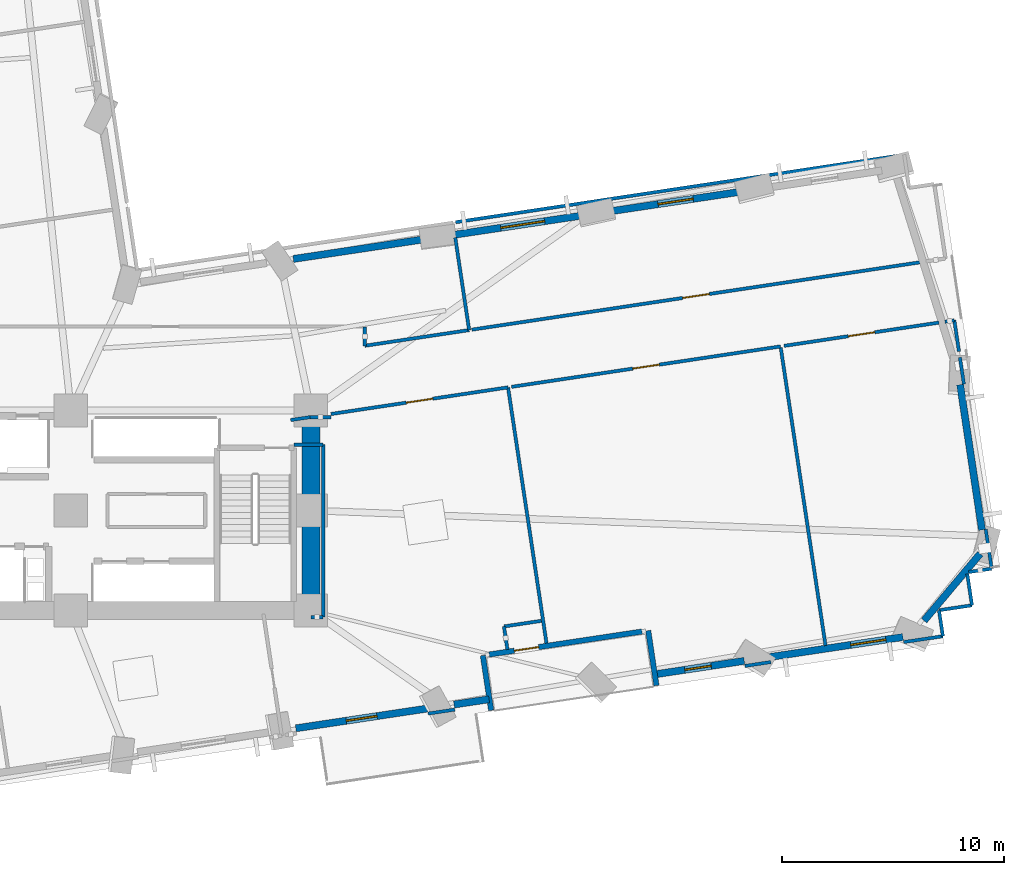
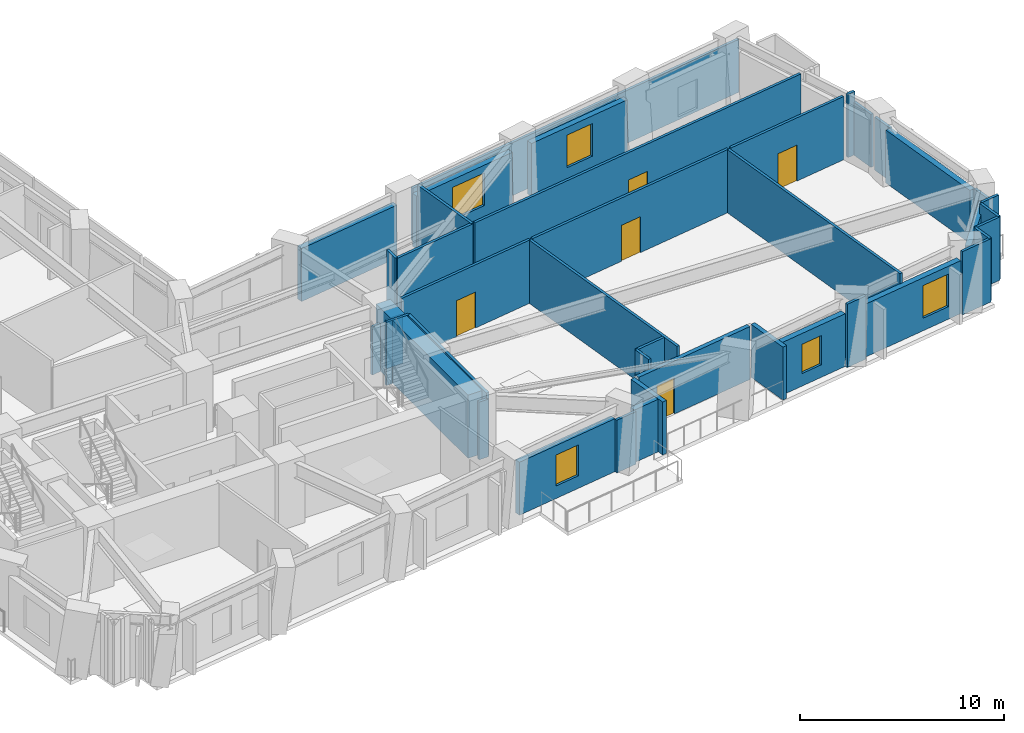
# One storey, part 9 of 15: 41 walls, 5 doors, 5 windows, 10 openings.
"""IFC4 building model written with IfcOpenShell, lengths in metres."""

from ifc_helpers import new_model, si_unit, direction, frame, frame_2d, origin, place, context, subcontext, project, spatial, rectangle, extrude, material, layer, layer_set, type_object, element, fill, save


model = new_model("IFC4")

# Units and contexts
model_context = context("Model", 3, precision=1e-05, world=origin(), true_north=direction((0.0, 1.0)))
body_context = subcontext(model_context, "Body", "Model", "MODEL_VIEW")
ifc_project = project(units=[si_unit("LENGTHUNIT", "METRE"), si_unit("AREAUNIT", "SQUARE_METRE"), si_unit("VOLUMEUNIT", "CUBIC_METRE"), si_unit("PLANEANGLEUNIT", "RADIAN"), si_unit("MASSUNIT", "GRAM", prefix="KILO")], contexts=[model_context])

# Site, building, storey
site_placement = place(None, origin())
site = spatial("IfcSite", under=ifc_project, at=site_placement, CompositionType="ELEMENT")
building_placement = place(site_placement, origin())
building = spatial("IfcBuilding", under=site, at=building_placement, Name="Gaonmaruhae Medical Tower", CompositionType="ELEMENT")
storey_placement = place(building_placement, frame((0.0, 0.0, 59.0)))
storey = spatial("IfcBuildingStorey", under=building, at=storey_placement, Name="L13", CompositionType="ELEMENT", Elevation=59.0)

# Wall
ifc_material_1 = material(Name="Concrete C60/75", Category="concrete")
ifc_layer_1 = layer(ifc_material_1, 0.800048828125)
ifc_layer_set_1 = layer_set([ifc_layer_1], Name="Concrete C60/75")
wall_type_1 = type_object("IfcWallType", Name="CW-800 Lower Core Shear Wall", PredefinedType="SHEAR", material=ifc_layer_set_1)
wall_1_placement = place(storey_placement, frame((35.60009765625, 7.800048828125, 0.0), z_axis=(0.0, 0.0, 1.0), x_axis=(0.0, 1.0, 0.0)))
element("IfcWall", 1, at=wall_1_placement, inside=storey, type_object=wall_type_1, Name="L13 Core Shear Wall CSW-E1", PredefinedType="SHEAR", context=body_context, shape_type="SweptSolid", body=[
    extrude(rectangle(XDim=9.0, YDim=0.800048828125, at=frame_2d((4.5, 0.0))), origin(), (0.0, 0.0, 1.0), 3.780029296875),
])

# Wall, opening, door
ifc_material_2 = material(Name="Precast concrete C45/55", Category="concrete")
ifc_layer_2 = layer(ifc_material_2, 0.239990234375)
ifc_layer_set_2 = layer_set([ifc_layer_2], Name="Precast concrete C45/55")
wall_type_2 = type_object("IfcWallType", Name="EW-240 Ribbon & Shelter Insulated Precast Wall", PredefinedType="SOLIDWALL", material=ifc_layer_set_2)
wall_2_placement = place(storey_placement, frame((50.5, 6.85302734375, 0.0), z_axis=(0.0, 0.0, 1.0), x_axis=(-0.988888186317, -0.14866120867, 0.0)))
wall_2 = element("IfcWall", 2, at=wall_2_placement, inside=storey, type_object=wall_type_2, Name="L13 Recessed Terrace Enclosure Wall TERB", PredefinedType="SOLIDWALL", context=body_context, shape_type="SweptSolid", body=[
    extrude(rectangle(XDim=6.9599609375, YDim=0.239990234375, at=frame_2d((3.47998046875, 0.0))), origin(), (0.0, 0.0, 1.0), 3.1650390625),
])
opening_1_placement = place(wall_2_placement, frame((4.709228515625, 0.0, 0.0)))
opening_1 = element("IfcOpeningElement", 3, at=opening_1_placement, cuts=wall_2, Name="Opening TD-01", PredefinedType="OPENING", context=body_context, shape_type="SweptSolid", body=[
    extrude(rectangle(XDim=1.10009765625, YDim=2.14990234375, at=frame_2d((0.550048828125, 1.074951171875))), frame((0.0, 0.1298828125, 0.0), z_axis=(0.0, -1.0, 0.0), x_axis=(1.0, 0.0, 0.0)), (0.0, 0.0, 1.0), 0.260009765625),
])
ifc_material_3 = material(Name="Anodised aluminium and toughened safety glass", Category="aluminium")
door_type_1 = type_object("IfcDoorType", Name="TD-01 Terrace & Sky Garden Glazed Door 1100x2150", OperationType="NOTDEFINED", PredefinedType="DOOR", material=ifc_material_3)
door_1_placement = place(opening_1_placement, origin())
door_1 = element("IfcDoor", 4, at=door_1_placement, inside=storey, type_object=door_type_1, Name="L13 Outdoor Terrace Access Door SLB-L13-TER", OperationType="SINGLE_SWING_LEFT", OverallHeight=2.14990234375, OverallWidth=1.10009765625, PredefinedType="DOOR", context=body_context, shape_type="SweptSolid", body=[
    extrude(rectangle(XDim=1.10009765625, YDim=2.14990234375, at=frame_2d((0.550048828125, 1.074951171875))), frame((0.0, 0.02490234375, 0.0), z_axis=(0.0, -1.0, 0.0), x_axis=(1.0, 0.0, 0.0)), (0.0, 0.0, 1.0), 0.050048828125),
])
fill(opening_1, door_1)

# Walls
for number, where, z_axis, x_axis, name in (
    (5, (43.340576171875, 5.776611328125, 0.0), (0.0, 0.0, 1.0), (0.148636526418, -0.988891896526, 0.0), "L13 Recessed Terrace Enclosure Wall TERL"),
    (6, (51.148681640625, 4.422607421875, 0.0), (0.0, 0.0, 1.0), (-0.148732025473, 0.988877537716, 0.0), "L13 Recessed Terrace Enclosure Wall TERR"),
):
    element("IfcWall", number, at=place(storey_placement, frame(where, z_axis=z_axis, x_axis=x_axis)), inside=storey, type_object=wall_type_2, Name=name, PredefinedType="SOLIDWALL", context=body_context, shape_type="SweptSolid", body=[
        extrude(rectangle(XDim=2.5, YDim=0.239990234375, at=frame_2d((1.25, 0.0))), origin(), (0.0, 0.0, 1.0), 3.1650390625),
    ])

# Wall, opening, window
ifc_layer_3 = layer(ifc_material_2, 0.320068359375)
ifc_layer_set_3 = layer_set([ifc_layer_3], Name="Precast concrete C45/55")
wall_type_3 = type_object("IfcWallType", Name="EW-320 Lower Precast Masonry-Frame Facade Wall", PredefinedType="SOLIDWALL", material=ifc_layer_set_3)
wall_3_placement = place(storey_placement, frame((40.84130859375, 3.388671875, 0.0), z_axis=(0.0, 0.0, 1.0), x_axis=(-0.988886033007, -0.148675531691, 0.0)))
wall_3 = element("IfcWall", 7, at=wall_3_placement, inside=storey, type_object=wall_type_3, Name="L13 Precast Masonry-Frame Wall S04-S05", PredefinedType="SOLIDWALL", context=body_context, shape_type="SweptSolid", body=[
    extrude(rectangle(XDim=5.9853515625, YDim=0.320068359375, at=frame_2d((2.99267578125, 0.0))), origin(), (0.0, 0.0, 1.0), 3.1650390625),
])
opening_2_placement = place(wall_3_placement, frame((2.292724609375, 0.0, 0.75)))
opening_2 = element("IfcOpeningElement", 8, at=opening_2_placement, cuts=wall_3, Name="Opening WN-03", PredefinedType="OPENING", context=body_context, shape_type="SweptSolid", body=[
    extrude(rectangle(XDim=1.39990234375, YDim=1.85009765625, at=frame_2d((0.699951171875, 0.925048828125))), frame((0.0, 0.169921875, 0.0), z_axis=(0.0, -1.0, 0.0), x_axis=(1.0, 0.0, 0.0)), (0.0, 0.0, 1.0), 0.340087890625),
])
ifc_material_4 = material(Name="Anodised aluminium and Low-E double glazing", Category="aluminium")
window_type_1 = type_object("IfcWindowType", Name="WN-03 Isolation Ward Punched Window 1400x1850", PartitioningType="SINGLE_PANEL", PredefinedType="WINDOW", material=ifc_material_4)
window_1_placement = place(opening_2_placement, origin())
window_1 = element("IfcWindow", 9, at=window_1_placement, inside=storey, type_object=window_type_1, Name="L13 Modular Facade Window S04", OverallHeight=1.85009765625, OverallWidth=1.39990234375, PartitioningType="SINGLE_PANEL", PredefinedType="WINDOW", context=body_context, shape_type="SweptSolid", body=[
    extrude(rectangle(XDim=1.39990234375, YDim=1.85009765625, at=frame_2d((0.699951171875, 0.925048828125))), frame((0.0, 0.030029296875, 0.0), z_axis=(0.0, -1.0, 0.0), x_axis=(1.0, 0.0, 0.0)), (0.0, 0.0, 1.0), 0.06005859375),
])
fill(opening_2, window_1)

# Wall
wall_4_placement = place(storey_placement, frame((43.61669921875, 3.805908203125, 0.0), z_axis=(0.0, 0.0, 1.0), x_axis=(-0.98889360458, -0.148625162139, 0.0)))
element("IfcWall", 10, at=wall_4_placement, inside=storey, type_object=wall_type_3, Name="L13 Precast Masonry-Frame Wall S05-S06", PredefinedType="SOLIDWALL", context=body_context, shape_type="SweptSolid", body=[
    extrude(rectangle(XDim=1.59326171875, YDim=0.320068359375, at=frame_2d((0.796630859375, 0.0))), origin(), (0.0, 0.0, 1.0), 3.14501953125),
])

# Wall, opening, window
wall_5_placement = place(storey_placement, frame((55.099609375, 5.5322265625, 0.0), z_axis=(0.0, 0.0, 1.0), x_axis=(-0.988882814922, -0.148696934578, 0.0)))
wall_5 = element("IfcWall", 11, at=wall_5_placement, inside=storey, type_object=wall_type_3, Name="L13 Precast Masonry-Frame Wall S06-S07", PredefinedType="SOLIDWALL", context=body_context, shape_type="SweptSolid", body=[
    extrude(rectangle(XDim=4.05224609375, YDim=0.320068359375, at=frame_2d((2.026123046875, 0.0))), origin(), (0.0, 0.0, 1.0), 3.14501953125),
])
opening_3_placement = place(wall_5_placement, frame((1.505615234375, 0.0, 0.75)))
opening_3 = element("IfcOpeningElement", 12, at=opening_3_placement, cuts=wall_5, Name="Opening WN-05", PredefinedType="OPENING", context=body_context, shape_type="SweptSolid", body=[
    extrude(rectangle(XDim=1.199951171875, YDim=1.75, at=frame_2d((0.60009765625, 0.875))), frame((0.0, 0.169921875, 0.0), z_axis=(0.0, -1.0, 0.0), x_axis=(1.0, 0.0, 0.0)), (0.0, 0.0, 1.0), 0.340087890625),
])
window_type_2 = type_object("IfcWindowType", Name="WN-05 Support & Staff Punched Window 1200x1750", PartitioningType="SINGLE_PANEL", PredefinedType="WINDOW", material=ifc_material_4)
window_2_placement = place(opening_3_placement, origin())
window_2 = element("IfcWindow", 13, at=window_2_placement, inside=storey, type_object=window_type_2, Name="L13 Modular Facade Window S06", OverallHeight=1.75, OverallWidth=1.199951171875, PartitioningType="SINGLE_PANEL", PredefinedType="WINDOW", context=body_context, shape_type="SweptSolid", body=[
    extrude(rectangle(XDim=1.199951171875, YDim=1.75, at=frame_2d((0.60009765625, 0.875))), frame((0.0, 0.030029296875, 0.0), z_axis=(0.0, -1.0, 0.0), x_axis=(1.0, 0.0, 0.0)), (0.0, 0.0, 1.0), 0.06005859375),
])
fill(opening_3, window_2)

wall_6_placement = place(storey_placement, frame((62.23828125, 6.60546875, 0.0), z_axis=(0.0, 0.0, 1.0), x_axis=(-0.988886526785, -0.14867224739, 0.0)))
wall_6 = element("IfcWall", 14, at=wall_6_placement, inside=storey, type_object=wall_type_3, Name="L13 Precast Masonry-Frame Wall S07-S08", PredefinedType="SOLIDWALL", context=body_context, shape_type="SweptSolid", body=[
    extrude(rectangle(XDim=6.044677734375, YDim=0.320068359375, at=frame_2d((3.0224609375, 0.0))), origin(), (0.0, 0.0, 1.0), 3.1650390625),
])
opening_4_placement = place(wall_6_placement, frame((0.77392578125, 0.0, 0.75)))
opening_4 = element("IfcOpeningElement", 15, at=opening_4_placement, cuts=wall_6, Name="Opening WN-01", PredefinedType="OPENING", context=body_context, shape_type="SweptSolid", body=[
    extrude(rectangle(XDim=1.60009765625, YDim=1.949951171875, at=frame_2d((0.800048828125, 0.97509765625))), frame((0.0, 0.169921875, 0.0), z_axis=(0.0, -1.0, 0.0), x_axis=(1.0, 0.0, 0.0)), (0.0, 0.0, 1.0), 0.340087890625),
])
window_type_3 = type_object("IfcWindowType", Name="WN-01 Ward Punched Acoustic Window 1600x1950", PartitioningType="SINGLE_PANEL", PredefinedType="WINDOW", material=ifc_material_4)
window_3_placement = place(opening_4_placement, origin())
window_3 = element("IfcWindow", 16, at=window_3_placement, inside=storey, type_object=window_type_3, Name="L13 Modular Facade Window S07", OverallHeight=1.949951171875, OverallWidth=1.60009765625, PartitioningType="SINGLE_PANEL", PredefinedType="WINDOW", context=body_context, shape_type="SweptSolid", body=[
    extrude(rectangle(XDim=1.60009765625, YDim=1.949951171875, at=frame_2d((0.800048828125, 0.97509765625))), frame((0.0, 0.030029296875, 0.0), z_axis=(0.0, -1.0, 0.0), x_axis=(1.0, 0.0, 0.0)), (0.0, 0.0, 1.0), 0.06005859375),
])
fill(opening_4, window_3)

# Walls
wall_7_placement = place(storey_placement, frame((65.7138671875, 10.350830078125, 0.0), z_axis=(0.0, 0.0, 1.0), x_axis=(-0.642815888699, -0.76602071332, 0.0)))
element("IfcWall", 17, at=wall_7_placement, inside=storey, type_object=wall_type_3, Name="L13 Precast Masonry-Frame Wall S08-E01", PredefinedType="SOLIDWALL", context=body_context, shape_type="SweptSolid", body=[
    extrude(rectangle(XDim=3.927490234375, YDim=0.320068359375, at=frame_2d((1.9638671875, 0.0))), origin(), (0.0, 0.0, 1.0), 3.1650390625),
])
wall_8_placement = place(storey_placement, frame((64.813720703125, 17.961669921875, 0.0), z_axis=(0.0, 0.0, 1.0), x_axis=(0.148656500421, -0.988888894104, 0.0)))
element("IfcWall", 18, at=wall_8_placement, inside=storey, type_object=wall_type_3, Name="L13 Precast Masonry-Frame Wall E01-E02", PredefinedType="SOLIDWALL", context=body_context, shape_type="SweptSolid", body=[
    extrude(rectangle(XDim=6.6103515625, YDim=0.320068359375, at=frame_2d((3.30517578125, 0.0))), origin(), (0.0, 0.0, 1.0), 3.1650390625),
])

# Wall, opening, window
wall_9_placement = place(storey_placement, frame((49.034912109375, 25.75537109375, 0.0), z_axis=(0.0, 0.0, 1.0), x_axis=(0.988890529399, 0.148645621746, 0.0)))
wall_9 = element("IfcWall", 19, at=wall_9_placement, inside=storey, type_object=wall_type_3, Name="L13 Precast Masonry-Frame Wall EN01-EN02", PredefinedType="SOLIDWALL", context=body_context, shape_type="SweptSolid", body=[
    extrude(rectangle(XDim=6.0244140625, YDim=0.320068359375, at=frame_2d((3.01220703125, 0.0))), origin(), (0.0, 0.0, 1.0), 3.1650390625),
])
opening_5_placement = place(wall_9_placement, frame((2.208740234375, 0.0, 0.75)))
opening_5 = element("IfcOpeningElement", 20, at=opening_5_placement, cuts=wall_9, Name="Opening WN-01", PredefinedType="OPENING", context=body_context, shape_type="SweptSolid", body=[
    extrude(rectangle(XDim=1.60009765625, YDim=1.949951171875, at=frame_2d((0.800048828125, 0.97509765625))), frame((0.0, 0.169921875, 0.0), z_axis=(0.0, -1.0, 0.0), x_axis=(1.0, 0.0, 0.0)), (0.0, 0.0, 1.0), 0.340087890625),
])
window_4_placement = place(opening_5_placement, origin())
window_4 = element("IfcWindow", 21, at=window_4_placement, inside=storey, type_object=window_type_3, Name="L13 Modular Facade Window EN01", OverallHeight=1.949951171875, OverallWidth=1.60009765625, PartitioningType="SINGLE_PANEL", PredefinedType="WINDOW", context=body_context, shape_type="SweptSolid", body=[
    extrude(rectangle(XDim=1.60009765625, YDim=1.949951171875, at=frame_2d((0.800048828125, 0.97509765625))), frame((0.0, 0.030029296875, 0.0), z_axis=(0.0, -1.0, 0.0), x_axis=(1.0, 0.0, 0.0)), (0.0, 0.0, 1.0), 0.06005859375),
])
fill(opening_5, window_4)

wall_10_placement = place(storey_placement, frame((41.9248046875, 24.686279296875, 0.0), z_axis=(0.0, 0.0, 1.0), x_axis=(0.988883458741, 0.148692652905, 0.0)))
wall_10 = element("IfcWall", 22, at=wall_10_placement, inside=storey, type_object=wall_type_3, Name="L13 Precast Masonry-Frame Wall EN02-EN03", PredefinedType="SOLIDWALL", context=body_context, shape_type="SweptSolid", body=[
    extrude(rectangle(XDim=5.99951171875, YDim=0.320068359375, at=frame_2d((2.999755859375, 0.0))), origin(), (0.0, 0.0, 1.0), 3.1650390625),
])
opening_6_placement = place(wall_10_placement, frame((2.23828125, 0.0, 0.75)))
opening_6 = element("IfcOpeningElement", 23, at=opening_6_placement, cuts=wall_10, Name="Opening WN-02", PredefinedType="OPENING", context=body_context, shape_type="SweptSolid", body=[
    extrude(rectangle(XDim=2.0, YDim=1.949951171875, at=frame_2d((1.0, 0.97509765625))), frame((0.0, 0.169921875, 0.0), z_axis=(0.0, -1.0, 0.0), x_axis=(1.0, 0.0, 0.0)), (0.0, 0.0, 1.0), 0.340087890625),
])
window_type_4 = type_object("IfcWindowType", Name="WN-02 Double-Bed Ward Punched Window 2000x1950", PartitioningType="SINGLE_PANEL", PredefinedType="WINDOW", material=ifc_material_4)
window_5_placement = place(opening_6_placement, origin())
window_5 = element("IfcWindow", 24, at=window_5_placement, inside=storey, type_object=window_type_4, Name="L13 Modular Facade Window EN02", OverallHeight=1.949951171875, OverallWidth=2.0, PartitioningType="SINGLE_PANEL", PredefinedType="WINDOW", context=body_context, shape_type="SweptSolid", body=[
    extrude(rectangle(XDim=2.0, YDim=1.949951171875, at=frame_2d((1.0, 0.97509765625))), frame((0.0, 0.030029296875, 0.0), z_axis=(0.0, -1.0, 0.0), x_axis=(1.0, 0.0, 0.0)), (0.0, 0.0, 1.0), 0.06005859375),
])
fill(opening_6, window_5)

# Walls
wall_11_placement = place(storey_placement, frame((34.808349609375, 23.616455078125, 0.0), z_axis=(0.0, 0.0, 1.0), x_axis=(0.988886347304, 0.148673441189, 0.0)))
element("IfcWall", 25, at=wall_11_placement, inside=storey, type_object=wall_type_3, Name="L13 Precast Masonry-Frame Wall EN03-EN04", PredefinedType="SOLIDWALL", context=body_context, shape_type="SweptSolid", body=[
    extrude(rectangle(XDim=5.9873046875, YDim=0.320068359375, at=frame_2d((2.99365234375, 0.0))), origin(), (0.0, 0.0, 1.0), 3.1650390625),
])
ifc_material_5 = material(Name="Gypsum board partition", Category="gypsum")
ifc_layer_4 = layer(ifc_material_5, 0.14990234375)
ifc_layer_set_4 = layer_set([ifc_layer_4], Name="Gypsum board partition")
wall_type_4 = type_object("IfcWallType", Name="PW-150 Rated Clinical Corridor Partition", PredefinedType="PARTITIONING", material=ifc_layer_set_4)
wall_12_placement = place(storey_placement, frame((35.60009765625, 7.5, 0.0), z_axis=(0.0, 0.0, 1.0), x_axis=(1.0, 0.0, 0.0)))
element("IfcWall", 26, at=wall_12_placement, inside=storey, type_object=wall_type_4, Name="L13 Interior Partition L13-SUP03-19", PredefinedType="PARTITIONING", context=body_context, shape_type="SweptSolid", body=[
    extrude(rectangle(XDim=0.5498046875, YDim=0.14990234375, at=frame_2d((0.27490234375, 0.0))), origin(), (0.0, 0.0, 1.0), 3.445068359375),
])
wall_13_placement = place(storey_placement, frame((36.14990234375, 7.5, 0.0), z_axis=(0.0, 0.0, 1.0), x_axis=(0.0, 1.0, 0.0)))
element("IfcWall", 27, at=wall_13_placement, inside=storey, type_object=wall_type_4, Name="L13 Interior Partition L13-SUP03-20", PredefinedType="PARTITIONING", context=body_context, shape_type="SweptSolid", body=[
    extrude(rectangle(XDim=7.760009765625, YDim=0.14990234375, at=frame_2d((3.8798828125, 0.0))), origin(), (0.0, 0.0, 1.0), 3.780029296875),
])
wall_14_placement = place(storey_placement, frame((36.14990234375, 15.260009765625, 0.0), z_axis=(0.0, 0.0, 1.0), x_axis=(-1.0, 0.0, 0.0)))
element("IfcWall", 28, at=wall_14_placement, inside=storey, type_object=wall_type_4, Name="L13 Interior Partition L13-SUP03-21", PredefinedType="PARTITIONING", context=body_context, shape_type="SweptSolid", body=[
    extrude(rectangle(XDim=1.2998046875, YDim=0.14990234375, at=frame_2d((0.64990234375, 0.0))), origin(), (0.0, 0.0, 1.0), 3.780029296875),
])
wall_15_placement = place(storey_placement, frame((34.69091796875, 16.367919921875, 0.0), z_axis=(0.0, 0.0, 1.0), x_axis=(0.988798318439, 0.149257781885, 0.0)))
element("IfcWall", 29, at=wall_15_placement, inside=storey, type_object=wall_type_4, Name="L13 Interior Partition L13-SUP03-22", PredefinedType="PARTITIONING", context=body_context, shape_type="SweptSolid", body=[
    extrude(rectangle(XDim=0.885009765625, YDim=0.14990234375, at=frame_2d((0.4423828125, 0.0))), origin(), (0.0, 0.0, 1.0), 2.864990234375),
])
wall_16_placement = place(storey_placement, frame((35.56591796875, 16.5, 0.0), z_axis=(0.0, 0.0, 1.0), x_axis=(1.0, 0.0, 0.0)))
element("IfcWall", 30, at=wall_16_placement, inside=storey, type_object=wall_type_4, Name="L13 Interior Partition L13-SUP03-23", PredefinedType="PARTITIONING", context=body_context, shape_type="SweptSolid", body=[
    extrude(rectangle(XDim=0.93408203125, YDim=0.14990234375, at=frame_2d((0.467041015625, 0.0))), origin(), (0.0, 0.0, 1.0), 2.864990234375),
])

# Wall, opening, door
wall_17_placement = place(storey_placement, frame((36.5, 16.639892578125, 0.0), z_axis=(0.0, 0.0, 1.0), x_axis=(0.988871164491, 0.148774393089, 0.0)))
wall_17 = element("IfcWall", 31, at=wall_17_placement, inside=storey, type_object=wall_type_4, Name="L13 Interior Partition L13-SUP03-24", PredefinedType="PARTITIONING", context=body_context, shape_type="SweptSolid", body=[
    extrude(rectangle(XDim=8.060546875, YDim=0.14990234375, at=frame_2d((4.0302734375, 0.0))), origin(), (0.0, 0.0, 1.0), 3.780029296875),
])
opening_7_placement = place(wall_17_placement, frame((3.430419921875, 0.0, 0.0)))
opening_7 = element("IfcOpeningElement", 32, at=opening_7_placement, cuts=wall_17, Name="Opening CD-02", PredefinedType="OPENING", context=body_context, shape_type="SweptSolid", body=[
    extrude(rectangle(XDim=1.199951171875, YDim=2.14990234375, at=frame_2d((0.60009765625, 1.074951171875))), frame((0.0, 0.0849609375, 0.0), z_axis=(0.0, -1.0, 0.0), x_axis=(1.0, 0.0, 0.0)), (0.0, 0.0, 1.0), 0.169921875),
])
ifc_material_6 = material(Name="Antimicrobial laminate timber fire door", Category="wood")
door_type_2 = type_object("IfcDoorType", Name="CD-02 Clinical Treatment & Procedure Door 1200x2150", OperationType="NOTDEFINED", PredefinedType="DOOR", material=ifc_material_6)
door_2_placement = place(opening_7_placement, origin())
door_2 = element("IfcDoor", 33, at=door_2_placement, inside=storey, type_object=door_type_2, Name="L13 Clinical Biomedical Charting Office Door", OperationType="SINGLE_SWING_RIGHT", OverallHeight=2.14990234375, OverallWidth=1.199951171875, PredefinedType="DOOR", context=body_context, shape_type="SweptSolid", body=[
    extrude(rectangle(XDim=1.199951171875, YDim=2.14990234375, at=frame_2d((0.60009765625, 1.074951171875))), frame((0.0, 0.02490234375, 0.0), z_axis=(0.0, -1.0, 0.0), x_axis=(1.0, 0.0, 0.0)), (0.0, 0.0, 1.0), 0.050048828125),
])
fill(opening_7, door_2)

# Walls
wall_18_placement = place(storey_placement, frame((44.470947265625, 17.839111328125, 0.0), z_axis=(0.0, 0.0, 1.0), x_axis=(0.148651551243, -0.988889638086, 0.0)))
element("IfcWall", 34, at=wall_18_placement, inside=storey, type_object=wall_type_4, Name="L13 Interior Partition L13-SUP03-25", PredefinedType="PARTITIONING", context=body_context, shape_type="SweptSolid", body=[
    extrude(rectangle(XDim=11.665771484375, YDim=0.14990234375, at=frame_2d((5.8330078125, 0.0))), origin(), (0.0, 0.0, 1.0), 3.780029296875),
])
wall_19_placement = place(storey_placement, frame((45.968994140625, 7.3349609375, 0.0), z_axis=(0.0, 0.0, 1.0), x_axis=(-0.988867770365, -0.148796951358, 0.0)))
element("IfcWall", 35, at=wall_19_placement, inside=storey, type_object=wall_type_4, Name="L13 Interior Partition L13-SUP03-26", PredefinedType="PARTITIONING", context=body_context, shape_type="SweptSolid", body=[
    extrude(rectangle(XDim=1.699951171875, YDim=0.14990234375, at=frame_2d((0.85009765625, 0.0))), origin(), (0.0, 0.0, 1.0), 3.780029296875),
])
wall_20_placement = place(storey_placement, frame((44.2880859375, 7.08203125, 0.0), z_axis=(0.0, 0.0, 1.0), x_axis=(0.148838473401, -0.988861521567, 0.0)))
element("IfcWall", 36, at=wall_20_placement, inside=storey, type_object=wall_type_4, Name="L13 Interior Partition L13-SUP03-27", PredefinedType="PARTITIONING", context=body_context, shape_type="SweptSolid", body=[
    extrude(rectangle(XDim=1.0546875, YDim=0.14990234375, at=frame_2d((0.52734375, 0.0))), origin(), (0.0, 0.0, 1.0), 3.780029296875),
])
wall_21_placement = place(storey_placement, frame((42.074951171875, 3.341064453125, 0.0), z_axis=(0.0, 0.0, 1.0), x_axis=(-0.988914204574, -0.148488033159, 0.0)))
element("IfcWall", 37, at=wall_21_placement, inside=storey, type_object=wall_type_4, Name="L13 Interior Partition L13-SUP03-28", PredefinedType="PARTITIONING", context=body_context, shape_type="SweptSolid", body=[
    extrude(rectangle(XDim=1.21337890625, YDim=0.14990234375, at=frame_2d((0.606689453125, 0.0))), origin(), (0.0, 0.0, 1.0), 3.14501953125),
])

# Wall, opening, door
wall_22_placement = place(storey_placement, frame((44.62890625, 17.863037109375, 0.0), z_axis=(0.0, 0.0, 1.0), x_axis=(0.988897401615, 0.148599895962, 0.0)))
wall_22 = element("IfcWall", 38, at=wall_22_placement, inside=storey, type_object=wall_type_4, Name="L13 Interior Partition L13-SUP04-30", PredefinedType="PARTITIONING", context=body_context, shape_type="SweptSolid", body=[
    extrude(rectangle(XDim=12.239990234375, YDim=0.14990234375, at=frame_2d((6.1201171875, 0.0))), origin(), (0.0, 0.0, 1.0), 3.780029296875),
])
opening_8_placement = place(wall_22_placement, frame((5.52001953125, 0.0, 0.0)))
opening_8 = element("IfcOpeningElement", 39, at=opening_8_placement, cuts=wall_22, Name="Opening CD-02", PredefinedType="OPENING", context=body_context, shape_type="SweptSolid", body=[
    extrude(rectangle(XDim=1.199951171875, YDim=2.14990234375, at=frame_2d((0.60009765625, 1.074951171875))), frame((0.0, 0.0849609375, 0.0), z_axis=(0.0, -1.0, 0.0), x_axis=(1.0, 0.0, 0.0)), (0.0, 0.0, 1.0), 0.169921875),
])
door_3_placement = place(opening_8_placement, origin())
door_3 = element("IfcDoor", 40, at=door_3_placement, inside=storey, type_object=door_type_2, Name="L13 Clinical Biomedical Charting Office Door", OperationType="SINGLE_SWING_LEFT", OverallHeight=2.14990234375, OverallWidth=1.199951171875, PredefinedType="DOOR", context=body_context, shape_type="SweptSolid", body=[
    extrude(rectangle(XDim=1.199951171875, YDim=2.14990234375, at=frame_2d((0.60009765625, 1.074951171875))), frame((0.0, 0.02490234375, 0.0), z_axis=(0.0, -1.0, 0.0), x_axis=(1.0, 0.0, 0.0)), (0.0, 0.0, 1.0), 0.050048828125),
])
fill(opening_8, door_3)

# Walls
wall_23_placement = place(storey_placement, frame((56.739990234375, 19.633056640625, 0.0), z_axis=(0.0, 0.0, 1.0), x_axis=(0.148699523168, -0.988882425675, 0.0)))
element("IfcWall", 41, at=wall_23_placement, inside=storey, type_object=wall_type_4, Name="L13 Interior Partition L13-SUP04-31", PredefinedType="PARTITIONING", context=body_context, shape_type="SweptSolid", body=[
    extrude(rectangle(XDim=13.56494140625, YDim=0.14990234375, at=frame_2d((6.782470703125, 0.0))), origin(), (0.0, 0.0, 1.0), 3.780029296875),
])
wall_24_placement = place(storey_placement, frame((56.294921875, 5.47998046875, 0.0), z_axis=(0.0, 0.0, 1.0), x_axis=(-0.988821658616, -0.149103076599, 0.0)))
element("IfcWall", 42, at=wall_24_placement, inside=storey, type_object=wall_type_4, Name="L13 Interior Partition L13-SUP04-32", PredefinedType="PARTITIONING", context=body_context, shape_type="SweptSolid", body=[
    extrude(rectangle(XDim=1.174072265625, YDim=0.14990234375, at=frame_2d((0.5869140625, 0.0))), origin(), (0.0, 0.0, 1.0), 3.780029296875),
])
wall_25_placement = place(storey_placement, frame((65.345947265625, 8.032958984375, 0.0), z_axis=(0.0, 0.0, 1.0), x_axis=(-0.98890530241, -0.148547308506, 0.0)))
element("IfcWall", 43, at=wall_25_placement, inside=storey, type_object=wall_type_4, Name="L13 Interior Partition L13-SUP05-33", PredefinedType="PARTITIONING", context=body_context, shape_type="SweptSolid", body=[
    extrude(rectangle(XDim=1.50048828125, YDim=0.14990234375, at=frame_2d((0.750244140625, 0.0))), origin(), (0.0, 0.0, 1.0), 3.780029296875),
])
wall_26_placement = place(storey_placement, frame((63.862060546875, 7.81005859375, 0.0), z_axis=(0.0, 0.0, 1.0), x_axis=(0.149149655044, -0.988814633994, 0.0)))
element("IfcWall", 44, at=wall_26_placement, inside=storey, type_object=wall_type_4, Name="L13 Interior Partition L13-SUP05-34", PredefinedType="PARTITIONING", context=body_context, shape_type="SweptSolid", body=[
    extrude(rectangle(XDim=1.18017578125, YDim=0.14990234375, at=frame_2d((0.590087890625, 0.0))), origin(), (0.0, 0.0, 1.0), 3.780029296875),
])
wall_27_placement = place(storey_placement, frame((64.0380859375, 6.64306640625, 0.0), z_axis=(0.0, 0.0, 1.0), x_axis=(-0.988918296581, -0.148460778281, 0.0)))
element("IfcWall", 45, at=wall_27_placement, inside=storey, type_object=wall_type_4, Name="L13 Interior Partition L13-SUP05-35", PredefinedType="PARTITIONING", context=body_context, shape_type="SweptSolid", body=[
    extrude(rectangle(XDim=1.785888671875, YDim=0.14990234375, at=frame_2d((0.89306640625, 0.0))), origin(), (0.0, 0.0, 1.0), 3.780029296875),
])

# Wall, opening, door
wall_28_placement = place(storey_placement, frame((56.89111328125, 19.7060546875, 0.0), z_axis=(0.0, 0.0, 1.0), x_axis=(0.988874237146, 0.14875396838, 0.0)))
wall_28 = element("IfcWall", 46, at=wall_28_placement, inside=storey, type_object=wall_type_4, Name="L13 Interior Partition L13-SUP05-36", PredefinedType="PARTITIONING", context=body_context, shape_type="SweptSolid", body=[
    extrude(rectangle(XDim=7.044189453125, YDim=0.14990234375, at=frame_2d((3.52197265625, 0.0))), origin(), (0.0, 0.0, 1.0), 3.780029296875),
])
opening_9_placement = place(wall_28_placement, frame((2.922119140625, 0.0, 0.0)))
opening_9 = element("IfcOpeningElement", 47, at=opening_9_placement, cuts=wall_28, Name="Opening CD-02", PredefinedType="OPENING", context=body_context, shape_type="SweptSolid", body=[
    extrude(rectangle(XDim=1.199951171875, YDim=2.14990234375, at=frame_2d((0.60009765625, 1.074951171875))), frame((0.0, 0.0849609375, 0.0), z_axis=(0.0, -1.0, 0.0), x_axis=(1.0, 0.0, 0.0)), (0.0, 0.0, 1.0), 0.169921875),
])
door_4_placement = place(opening_9_placement, origin())
door_4 = element("IfcDoor", 48, at=door_4_placement, inside=storey, type_object=door_type_2, Name="L13 Clinical Biomedical Charting Office Door", OperationType="SINGLE_SWING_LEFT", OverallHeight=2.14990234375, OverallWidth=1.199951171875, PredefinedType="DOOR", context=body_context, shape_type="SweptSolid", body=[
    extrude(rectangle(XDim=1.199951171875, YDim=2.14990234375, at=frame_2d((0.60009765625, 1.074951171875))), frame((0.0, 0.02490234375, 0.0), z_axis=(0.0, -1.0, 0.0), x_axis=(1.0, 0.0, 0.0)), (0.0, 0.0, 1.0), 0.050048828125),
])
fill(opening_9, door_4)

# Walls
wall_29_placement = place(storey_placement, frame((64.126953125, 20.7939453125, 0.0), z_axis=(0.0, 0.0, 1.0), x_axis=(0.988764107643, 0.149484244779, 0.0)))
element("IfcWall", 49, at=wall_29_placement, inside=storey, type_object=wall_type_4, Name="L13 Interior Partition L13-SUP05-37", PredefinedType="PARTITIONING", context=body_context, shape_type="SweptSolid", body=[
    extrude(rectangle(XDim=0.427978515625, YDim=0.14990234375, at=frame_2d((0.2138671875, 0.0))), origin(), (0.0, 0.0, 1.0), 3.780029296875),
])
wall_30_placement = place(storey_placement, frame((64.550048828125, 20.85791015625, 0.0), z_axis=(0.0, 0.0, 1.0), x_axis=(0.148734259416, -0.988877201717, 0.0)))
element("IfcWall", 50, at=wall_30_placement, inside=storey, type_object=wall_type_4, Name="L13 Interior Partition L13-SUP05-38", PredefinedType="PARTITIONING", context=body_context, shape_type="SweptSolid", body=[
    extrude(rectangle(XDim=1.4248046875, YDim=0.14990234375, at=frame_2d((0.71240234375, 0.0))), origin(), (0.0, 0.0, 1.0), 3.1650390625),
])
wall_31_placement = place(storey_placement, frame((64.801025390625, 19.18896484375, 0.0), z_axis=(0.0, 0.0, 1.0), x_axis=(0.148841369981, -0.988861085584, 0.0)))
element("IfcWall", 51, at=wall_31_placement, inside=storey, type_object=wall_type_4, Name="L13 Interior Partition L13-SUP05-39", PredefinedType="PARTITIONING", context=body_context, shape_type="SweptSolid", body=[
    extrude(rectangle(XDim=1.21533203125, YDim=0.14990234375, at=frame_2d((0.607666015625, 0.0))), origin(), (0.0, 0.0, 1.0), 3.1650390625),
])
wall_32_placement = place(storey_placement, frame((65.964111328125, 11.449951171875, 0.0), z_axis=(0.0, 0.0, 1.0), x_axis=(0.148801473119, -0.988867089956, 0.0)))
element("IfcWall", 52, at=wall_32_placement, inside=storey, type_object=wall_type_4, Name="L13 Interior Partition L13-SUP05-40", PredefinedType="PARTITIONING", context=body_context, shape_type="SweptSolid", body=[
    extrude(rectangle(XDim=1.78662109375, YDim=0.14990234375, at=frame_2d((0.893310546875, 0.0))), origin(), (0.0, 0.0, 1.0), 3.1650390625),
])
wall_33_placement = place(storey_placement, frame((66.22998046875, 9.68310546875, 0.0), z_axis=(0.0, 0.0, 1.0), x_axis=(-0.988999880854, -0.147916313064, 0.0)))
element("IfcWall", 53, at=wall_33_placement, inside=storey, type_object=wall_type_4, Name="L13 Interior Partition L13-SUP05-41", PredefinedType="PARTITIONING", context=body_context, shape_type="SweptSolid", body=[
    extrude(rectangle(XDim=1.04150390625, YDim=0.14990234375, at=frame_2d((0.520751953125, 0.0))), origin(), (0.0, 0.0, 1.0), 3.780029296875),
])
wall_34_placement = place(storey_placement, frame((65.133056640625, 9.448974609375, 0.0), z_axis=(0.0, 0.0, 1.0), x_axis=(0.148673936199, -0.988886272882, 0.0)))
element("IfcWall", 54, at=wall_34_placement, inside=storey, type_object=wall_type_4, Name="L13 Interior Partition L13-SUP05-42", PredefinedType="PARTITIONING", context=body_context, shape_type="SweptSolid", body=[
    extrude(rectangle(XDim=1.431884765625, YDim=0.14990234375, at=frame_2d((0.7158203125, 0.0))), origin(), (0.0, 0.0, 1.0), 3.780029296875),
])
wall_35_placement = place(storey_placement, frame((42.095947265625, 24.575927734375, 0.0), z_axis=(0.0, 0.0, 1.0), x_axis=(0.148610121191, -0.988895865033, 0.0)))
element("IfcWall", 55, at=wall_35_placement, inside=storey, type_object=wall_type_4, Name="L13 Interior Partition L13-IE01-62", PredefinedType="PARTITIONING", context=body_context, shape_type="SweptSolid", body=[
    extrude(rectangle(XDim=4.20556640625, YDim=0.14990234375, at=frame_2d((2.102783203125, 0.0))), origin(), (0.0, 0.0, 1.0), 3.780029296875),
])
wall_36_placement = place(storey_placement, frame((42.720947265625, 20.4169921875, 0.0), z_axis=(0.0, 0.0, 1.0), x_axis=(-0.988891762051, -0.148637421089, 0.0)))
element("IfcWall", 56, at=wall_36_placement, inside=storey, type_object=wall_type_4, Name="L13 Interior Partition L13-IE01-63", PredefinedType="PARTITIONING", context=body_context, shape_type="SweptSolid", body=[
    extrude(rectangle(XDim=4.74365234375, YDim=0.14990234375, at=frame_2d((2.371826171875, 0.0))), origin(), (0.0, 0.0, 1.0), 3.780029296875),
])
wall_37_placement = place(storey_placement, frame((38.030029296875, 19.7119140625, 0.0), z_axis=(0.0, 0.0, 1.0), x_axis=(0.0, 1.0, 0.0)))
element("IfcWall", 57, at=wall_37_placement, inside=storey, type_object=wall_type_4, Name="L13 Interior Partition L13-IE01-64", PredefinedType="PARTITIONING", context=body_context, shape_type="SweptSolid", body=[
    extrude(rectangle(XDim=0.838134765625, YDim=0.14990234375, at=frame_2d((0.4189453125, 0.0))), origin(), (0.0, 0.0, 1.0), 3.780029296875),
])

# Wall, opening, door
wall_38_placement = place(storey_placement, frame((63.010009765625, 23.467041015625, 0.0), z_axis=(0.0, 0.0, 1.0), x_axis=(-0.988889595635, -0.148651833642, 0.0)))
wall_38 = element("IfcWall", 58, at=wall_38_placement, inside=storey, type_object=wall_type_4, Name="L13 Interior Partition L13-IE02-72", PredefinedType="PARTITIONING", context=body_context, shape_type="SweptSolid", body=[
    extrude(rectangle(XDim=20.396484375, YDim=0.14990234375, at=frame_2d((10.1982421875, 0.0))), origin(), (0.0, 0.0, 1.0), 3.780029296875),
])
opening_10_placement = place(wall_38_placement, frame((9.598388671875, 0.0, 0.0)))
opening_10 = element("IfcOpeningElement", 59, at=opening_10_placement, cuts=wall_38, Name="Opening CD-02", PredefinedType="OPENING", context=body_context, shape_type="SweptSolid", body=[
    extrude(rectangle(XDim=1.199951171875, YDim=2.14990234375, at=frame_2d((0.60009765625, 1.074951171875))), frame((0.0, 0.0849609375, 0.0), z_axis=(0.0, -1.0, 0.0), x_axis=(1.0, 0.0, 0.0)), (0.0, 0.0, 1.0), 0.169921875),
])
door_5_placement = place(opening_10_placement, origin())
door_5 = element("IfcDoor", 60, at=door_5_placement, inside=storey, type_object=door_type_2, Name="L13 Acute Treatment Examination Room Door", OperationType="SINGLE_SWING_LEFT", OverallHeight=2.14990234375, OverallWidth=1.199951171875, PredefinedType="DOOR", context=body_context, shape_type="SweptSolid", body=[
    extrude(rectangle(XDim=1.199951171875, YDim=2.14990234375, at=frame_2d((0.60009765625, 1.074951171875))), frame((0.0, 0.02490234375, 0.0), z_axis=(0.0, -1.0, 0.0), x_axis=(1.0, 0.0, 0.0)), (0.0, 0.0, 1.0), 0.050048828125),
])
fill(opening_10, door_5)

# Wall
wall_39_placement = place(storey_placement, frame((42.113037109375, 25.27099609375, 0.0), z_axis=(0.0, 0.0, 1.0), x_axis=(0.988884883035, 0.148683180302, 0.0)))
element("IfcWall", 61, at=wall_39_placement, inside=storey, type_object=wall_type_4, Name="L13 Interior Partition L13-IE02-73", PredefinedType="PARTITIONING", context=body_context, shape_type="SweptSolid", body=[
    extrude(rectangle(XDim=20.411865234375, YDim=0.14990234375, at=frame_2d((10.2060546875, 0.0))), origin(), (0.0, 0.0, 1.0), 3.1650390625),
])

save(model, "model.ifc")
